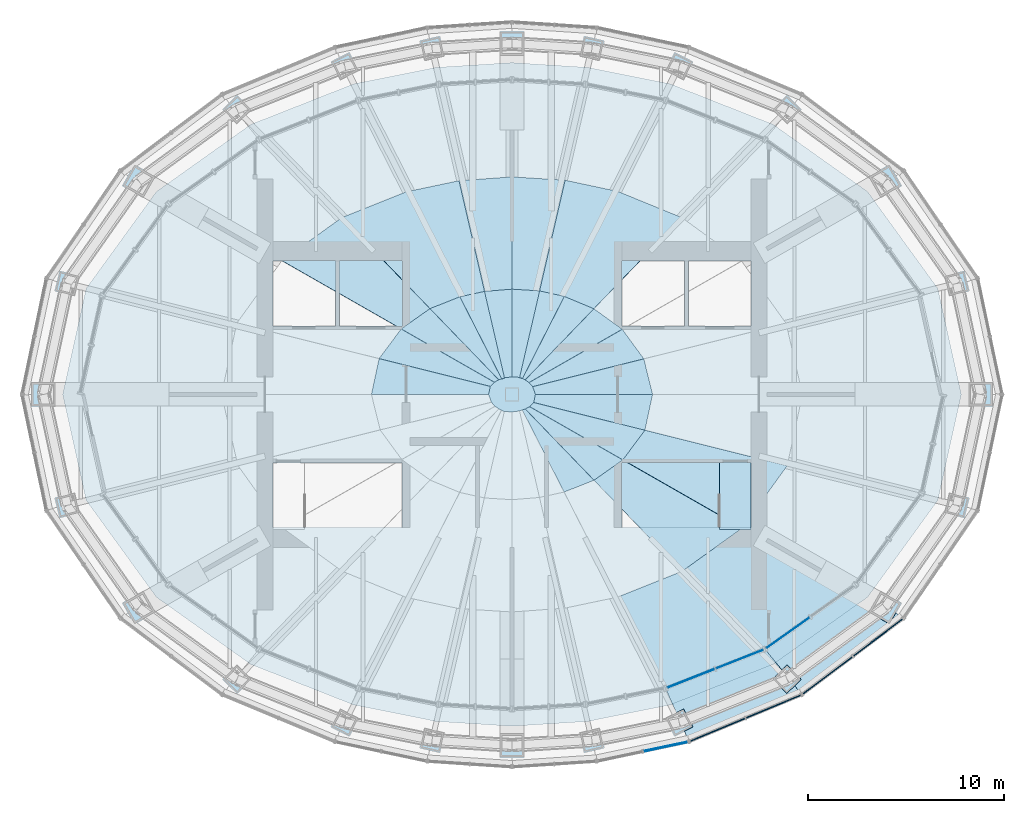
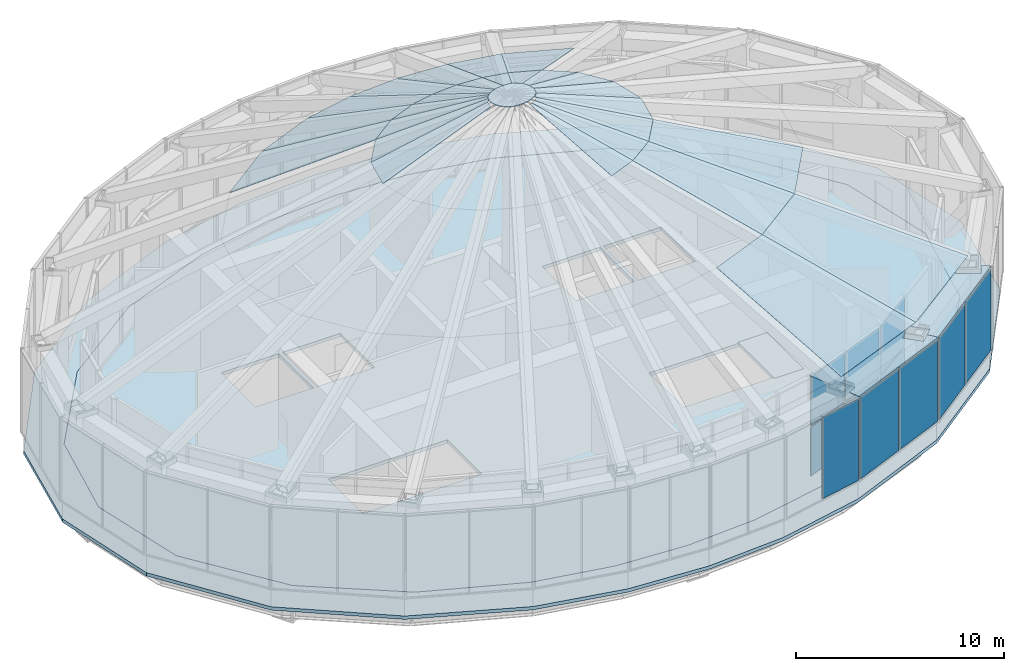
# One storey, part 16 of 21: 41 plates, 3 slabs, 5 elements without a shape of their own.
"""IFC4 building model written with IfcOpenShell, lengths in metres."""

from ifc_helpers import new_model, si_unit, direction, frame, origin, origin_2d, place, context, subcontext, project, spatial, polyline, rectangle, outline, extrude, material, layer, layer_set, type_object, element, aggregate, save


model = new_model("IFC4")

# Units and contexts
model_context = context("Model", 3, precision=1e-05, world=origin(), true_north=direction((0.0, 1.0)))
body_context = subcontext(model_context, "Body", "Model", "MODEL_VIEW")
ifc_project = project(units=[si_unit("LENGTHUNIT", "METRE"), si_unit("AREAUNIT", "SQUARE_METRE"), si_unit("VOLUMEUNIT", "CUBIC_METRE"), si_unit("PLANEANGLEUNIT", "RADIAN"), si_unit("MASSUNIT", "GRAM", prefix="KILO")], contexts=[model_context])

# Site, building, storey
site_placement = place(None, origin())
site = spatial("IfcSite", under=ifc_project, at=site_placement, CompositionType="ELEMENT")
building_placement = place(site_placement, origin())
building = spatial("IfcBuilding", under=site, at=building_placement, Name="Lantaw Convention Tower", CompositionType="ELEMENT")
storey_placement = place(building_placement, frame((0.0, 0.0, 290.39990234375)))
storey = spatial("IfcBuildingStorey", under=building, at=storey_placement, Name="L67", CompositionType="ELEMENT", Elevation=290.39990234375)

# Curtain wall, plates
ifc_material_1 = material(Name="Aluminium framed curtain wall", Category="aluminium")
curtain_wall_type_1 = type_object("IfcCurtainWallType", Name="LANTERN glazing curtain wall, pale aluminium", PredefinedType="USERDEFINED", material=ifc_material_1)
curtain_wall_1_placement = place(storey_placement, origin())
curtain_wall_1 = element("IfcCurtainWall", 1, at=curtain_wall_1_placement, inside=storey, type_object=curtain_wall_type_1, Name="LANTERN glazing curtain wall, pale aluminium L67", ObjectType="LANTERN GLAZING", PredefinedType="USERDEFINED")
ifc_material_2 = material(Name="Low-iron laminated glass", Category="glass")
ifc_layer_1 = layer(ifc_material_2, 0.035888671875)
ifc_layer_set_1 = layer_set([ifc_layer_1], Name="CW-LN panel 36")
plate_type_1 = type_object("IfcPlateType", Name="CW-LN panel 36", PredefinedType="CURTAIN_PANEL", material=ifc_layer_set_1)
plate_1_placement = place(storey_placement, frame((9.127197265625, -14.4853515625, 0.10009765625), z_axis=(0.0, 0.0, 1.0), x_axis=(0.930299050885, 0.366801957358, 0.0)))
plate_1 = element("IfcPlate", 2, at=plate_1_placement, type_object=plate_type_1, Name="CW-LN panel 1.1", PredefinedType="CURTAIN_PANEL", context=body_context, shape_type="SweptSolid", body=[
    extrude(rectangle(XDim=2.574462890625, YDim=0.035888671875, at=origin_2d()), origin(), (0.0, 0.0, 1.0), 2.85009765625),
])
plate_2_placement = place(storey_placement, frame((9.127197265625, -14.4853515625, 3.050048828125), z_axis=(0.0, 0.0, 1.0), x_axis=(0.930299050885, 0.366801957358, 0.0)))
plate_2 = element("IfcPlate", 3, at=plate_2_placement, type_object=plate_type_1, Name="CW-LN panel 1.2", PredefinedType="CURTAIN_PANEL", context=body_context, shape_type="SweptSolid", body=[
    extrude(rectangle(XDim=2.574462890625, YDim=0.035888671875, at=origin_2d()), origin(), (0.0, 0.0, 1.0), 2.85009765625),
])
plate_3_placement = place(storey_placement, frame((11.615234375, -13.50439453125, 0.10009765625), z_axis=(0.0, 0.0, 1.0), x_axis=(0.930299050885, 0.366801957358, 0.0)))
plate_3 = element("IfcPlate", 4, at=plate_3_placement, type_object=plate_type_1, Name="CW-LN panel 2.1", PredefinedType="CURTAIN_PANEL", context=body_context, shape_type="SweptSolid", body=[
    extrude(rectangle(XDim=2.574462890625, YDim=0.035888671875, at=origin_2d()), origin(), (0.0, 0.0, 1.0), 2.85009765625),
])
plate_4_placement = place(storey_placement, frame((11.615234375, -13.50439453125, 3.050048828125), z_axis=(0.0, 0.0, 1.0), x_axis=(0.930299050885, 0.366801957358, 0.0)))
plate_4 = element("IfcPlate", 5, at=plate_4_placement, type_object=plate_type_1, Name="CW-LN panel 2.2", PredefinedType="CURTAIN_PANEL", context=body_context, shape_type="SweptSolid", body=[
    extrude(rectangle(XDim=2.574462890625, YDim=0.035888671875, at=origin_2d()), origin(), (0.0, 0.0, 1.0), 2.85009765625),
])
aggregate(curtain_wall_1, [plate_1, plate_2, plate_3, plate_4])

curtain_wall_2_placement = place(storey_placement, origin())
curtain_wall_2 = element("IfcCurtainWall", 6, at=curtain_wall_2_placement, inside=storey, type_object=curtain_wall_type_1, Name="LANTERN glazing curtain wall, pale aluminium L67", ObjectType="LANTERN GLAZING", PredefinedType="USERDEFINED")
plate_5_placement = place(storey_placement, frame((14.079345703125, -12.16064453125, 0.10009765625), z_axis=(0.0, 0.0, 1.0), x_axis=(0.814841441337, 0.579683901346, 0.0)))
plate_5 = element("IfcPlate", 7, at=plate_5_placement, type_object=plate_type_1, Name="CW-LN panel 1.1", PredefinedType="CURTAIN_PANEL", context=body_context, shape_type="SweptSolid", body=[
    extrude(rectangle(XDim=2.680419921875, YDim=0.035888671875, at=origin_2d()), origin(), (0.0, 0.0, 1.0), 2.85009765625),
])
plate_6_placement = place(storey_placement, frame((14.079345703125, -12.16064453125, 3.050048828125), z_axis=(0.0, 0.0, 1.0), x_axis=(0.814841441337, 0.579683901346, 0.0)))
plate_6 = element("IfcPlate", 8, at=plate_6_placement, type_object=plate_type_1, Name="CW-LN panel 1.2", PredefinedType="CURTAIN_PANEL", context=body_context, shape_type="SweptSolid", body=[
    extrude(rectangle(XDim=2.680419921875, YDim=0.035888671875, at=origin_2d()), origin(), (0.0, 0.0, 1.0), 2.85009765625),
])
aggregate(curtain_wall_2, [plate_5, plate_6])

# Curtain wall, plate
curtain_wall_type_2 = type_object("IfcCurtainWallType", Name="Plant floor louvre wall, pale aluminium", PredefinedType="USERDEFINED", material=ifc_material_1)
curtain_wall_3_placement = place(storey_placement, origin())
curtain_wall_3 = element("IfcCurtainWall", 9, at=curtain_wall_3_placement, inside=storey, type_object=curtain_wall_type_2, Name="Plant floor louvre wall, pale aluminium L67", ObjectType="LOUVRE WALL", PredefinedType="USERDEFINED")
ifc_material_3 = material(Name="Aluminium louvre blades", Category="aluminium")
ifc_layer_2 = layer(ifc_material_3, 0.050048828125)
ifc_layer_set_2 = layer_set([ifc_layer_2], Name="CW-LV panel 50")
plate_type_2 = type_object("IfcPlateType", Name="CW-LV panel 50", PredefinedType="CURTAIN_PANEL", material=ifc_layer_set_2)
plate_7_placement = place(storey_placement, frame((7.833740234375, -17.970703125, 1.169921875), z_axis=(0.0, 0.0, 1.0), x_axis=(0.978332497083, 0.207039911975, 0.0)))
plate_7 = element("IfcPlate", 10, at=plate_7_placement, type_object=plate_type_2, Name="CW-LV panel 2.1", PredefinedType="CURTAIN_PANEL", context=body_context, shape_type="SweptSolid", body=[
    extrude(rectangle(XDim=2.30078125, YDim=0.050048828125, at=origin_2d()), origin(), (0.0, 0.0, 1.0), 4.760009765625),
])
aggregate(curtain_wall_3, [plate_7])

# Curtain wall, plates
curtain_wall_4_placement = place(storey_placement, origin())
curtain_wall_4 = element("IfcCurtainWall", 11, at=curtain_wall_4_placement, inside=storey, type_object=curtain_wall_type_2, Name="Plant floor louvre wall, pale aluminium L67", ObjectType="LOUVRE WALL", PredefinedType="USERDEFINED")
plate_8_placement = place(storey_placement, frame((10.48486328125, -17.111083984375, 1.169921875), z_axis=(0.0, 0.0, 1.0), x_axis=(0.923141777124, 0.384459697924, 0.0)))
plate_8 = element("IfcPlate", 12, at=plate_8_placement, type_object=plate_type_2, Name="CW-LV panel 1.1", PredefinedType="CURTAIN_PANEL", context=body_context, shape_type="SweptSolid", body=[
    extrude(rectangle(XDim=3.01708984375, YDim=0.050048828125, at=origin_2d()), origin(), (0.0, 0.0, 1.0), 4.760009765625),
])
plate_9_placement = place(storey_placement, frame((13.334716796875, -15.92431640625, 1.169921875), z_axis=(0.0, 0.0, 1.0), x_axis=(0.923141777124, 0.384459697924, 0.0)))
plate_9 = element("IfcPlate", 13, at=plate_9_placement, type_object=plate_type_2, Name="CW-LV panel 2.1", PredefinedType="CURTAIN_PANEL", context=body_context, shape_type="SweptSolid", body=[
    extrude(rectangle(XDim=3.01708984375, YDim=0.050048828125, at=origin_2d()), origin(), (0.0, 0.0, 1.0), 4.760009765625),
])
aggregate(curtain_wall_4, [plate_8, plate_9])

curtain_wall_5_placement = place(storey_placement, origin())
curtain_wall_5 = element("IfcCurtainWall", 14, at=curtain_wall_5_placement, inside=storey, type_object=curtain_wall_type_2, Name="Plant floor louvre wall, pale aluminium L67", ObjectType="LOUVRE WALL", PredefinedType="USERDEFINED")
plate_10_placement = place(storey_placement, frame((16.103271484375, -14.33203125, 1.169921875), z_axis=(0.0, 0.0, 1.0), x_axis=(0.799517528732, 0.600642756762, 0.0)))
plate_10 = element("IfcPlate", 15, at=plate_10_placement, type_object=plate_type_2, Name="CW-LV panel 1.1", PredefinedType="CURTAIN_PANEL", context=body_context, shape_type="SweptSolid", body=[
    extrude(rectangle(XDim=3.140869140625, YDim=0.050048828125, at=origin_2d()), origin(), (0.0, 0.0, 1.0), 4.760009765625),
])
plate_11_placement = place(storey_placement, frame((18.67041015625, -12.403564453125, 1.169921875), z_axis=(0.0, 0.0, 1.0), x_axis=(0.799517528732, 0.600642756762, 0.0)))
plate_11 = element("IfcPlate", 16, at=plate_11_placement, type_object=plate_type_2, Name="CW-LV panel 2.1", PredefinedType="CURTAIN_PANEL", context=body_context, shape_type="SweptSolid", body=[
    extrude(rectangle(XDim=3.140869140625, YDim=0.050048828125, at=origin_2d()), origin(), (0.0, 0.0, 1.0), 4.760009765625),
])
aggregate(curtain_wall_5, [plate_10, plate_11])

# Slab
ifc_material_4 = material(Name="Concrete C35/45", Category="concrete")
ifc_layer_3 = layer(ifc_material_4, 0.199951171875)
ifc_layer_set_3 = layer_set([ifc_layer_3], Name="Floor slab 200")
slab_type_1 = type_object("IfcSlabType", Name="Floor slab 200", PredefinedType="FLOOR", material=ifc_layer_set_3)
slab_1_placement = place(storey_placement, frame((0.0, 0.0, -0.199951171875)))
element("IfcSlab", 17, at=slab_1_placement, inside=storey, type_object=slab_type_1, Name="L67 floor slab", PredefinedType="FLOOR", context=body_context, shape_type="SweptSolid", body=[
    extrude(outline(polyline([(21.7236328125, -5.40234375), (22.923095703125, 0.0), (21.7236328125, 5.40234375), (18.142578125, 10.34375), (13.326171875, 13.7705078125), (8.0849609375, 15.8369140625), (3.859130859375, 16.683349609375), (0.0, 16.9248046875), (-3.859130859375, 16.683349609375), (-8.0849609375, 15.8369140625), (-13.326171875, 13.7705078125), (-18.142578125, 10.34375), (-21.7236328125, 5.40234375), (-22.923095703125, 0.0), (-21.7236328125, -5.40234375), (-18.142578125, -10.34375), (-13.326171875, -13.7705078125), (-8.0849609375, -15.8369140625), (-3.859130859375, -16.683349609375), (0.0, -16.9248046875), (3.859130859375, -16.683349609375), (8.0849609375, -15.8369140625), (13.326171875, -13.7705078125), (18.142578125, -10.34375), (21.7236328125, -5.40234375)]), holes=[polyline([(-12.199951171875, -3.5), (-12.199951171875, -6.800048828125), (-5.60009765625, -6.800048828125), (-5.60009765625, -3.5), (-12.199951171875, -3.5)]), polyline([(12.199951171875, -3.5), (5.60009765625, -3.5), (5.60009765625, -6.800048828125), (12.199951171875, -6.800048828125), (12.199951171875, -3.5)]), polyline([(-9.0, 6.800048828125), (-12.199951171875, 6.800048828125), (-12.199951171875, 3.5), (-9.0, 3.5), (-9.0, 6.800048828125)]), polyline([(-8.800048828125, 6.800048828125), (-8.800048828125, 3.5), (-5.60009765625, 3.5), (-5.60009765625, 6.800048828125), (-8.800048828125, 6.800048828125)]), polyline([(8.800048828125, 6.800048828125), (5.60009765625, 6.800048828125), (5.60009765625, 3.5), (8.800048828125, 3.5), (8.800048828125, 6.800048828125)]), polyline([(12.199951171875, 6.800048828125), (9.0, 6.800048828125), (9.0, 3.5), (12.199951171875, 3.5), (12.199951171875, 6.800048828125)])]), origin(), (0.0, 0.0, 1.0), 0.199951171875),
])

# Plates
ifc_material_5 = material(Name="Aluminium composite panel, pale silver", Category="aluminium")
ifc_layer_4 = layer(ifc_material_5, 0.050048828125)
ifc_layer_set_4 = layer_set([ifc_layer_4], Name="LANTERN eaves panel 50")
plate_type_3 = type_object("IfcPlateType", Name="LANTERN eaves panel 50", PredefinedType="SHEET", material=ifc_layer_set_4)
plate_12_placement = place(storey_placement, frame((0.0, 0.0, 6.0)))
element("IfcPlate", 18, at=plate_12_placement, inside=storey, type_object=plate_type_3, Name="LANTERN eaves panel", PredefinedType="SHEET", context=body_context, shape_type="SweptSolid", body=[
    extrude(outline(polyline([(7.83642578125, -14.994384765625), (8.37744140625, -16.231201171875), (8.755615234375, -16.038330078125), (9.227783203125, -16.965087890625), (8.794921875, -17.185546875), (9.02783203125, -17.718017578125), (14.791748046875, -15.3173828125), (14.4248046875, -14.865478515625), (14.014892578125, -15.261474609375), (13.29248046875, -14.51318359375), (13.7666015625, -14.055419921875), (12.90576171875, -12.99560546875), (7.83642578125, -14.994384765625)])), origin(), (0.0, 0.0, 1.0), 0.050048828125),
])
plate_13_placement = place(storey_placement, frame((0.0, 0.0, 6.0)))
element("IfcPlate", 19, at=plate_13_placement, inside=storey, type_object=plate_type_3, Name="LANTERN eaves panel", PredefinedType="SHEET", context=body_context, shape_type="SweptSolid", body=[
    extrude(outline(polyline([(12.90576171875, -12.99560546875), (13.7666015625, -14.055419921875), (14.04052734375, -13.790771484375), (14.762939453125, -14.5390625), (14.4248046875, -14.865478515625), (14.791748046875, -15.3173828125), (19.98193359375, -11.418212890625), (19.585693359375, -11.144287109375), (19.257568359375, -11.718505859375), (18.180908203125, -11.103271484375), (18.562255859375, -10.43603515625), (17.518310546875, -9.714111328125), (12.90576171875, -12.99560546875)])), origin(), (0.0, 0.0, 1.0), 0.050048828125),
])
plate_14_placement = place(storey_placement, frame((0.0, 0.0, 16.099365234375)))
element("IfcPlate", 20, at=plate_14_placement, inside=storey, type_object=plate_type_3, Name="LANTERN crown cap", PredefinedType="SHEET", context=body_context, shape_type="SweptSolid", body=[
    extrude(outline(polyline([(1.195068359375, 0.0), (1.0517578125, 0.400390625), (0.86474609375, 0.60693359375), (0.66748046875, 0.739990234375), (0.53466796875, 0.81494140625), (0.389892578125, 0.870361328125), (0.0, 0.89501953125), (-0.384033203125, 0.845458984375), (-0.525390625, 0.797119140625), (-0.673828125, 0.74658203125), (-0.894775390625, 0.6240234375), (-1.106201171875, 0.413818359375), (-1.195068359375, 0.0), (-1.0517578125, -0.400390625), (-0.86474609375, -0.60693359375), (-0.66748046875, -0.739990234375), (-0.53466796875, -0.81494140625), (-0.389892578125, -0.870361328125), (0.0, -0.89501953125), (0.384033203125, -0.845458984375), (0.525390625, -0.797119140625), (0.673828125, -0.74658203125), (0.894775390625, -0.6240234375), (1.106201171875, -0.413818359375), (1.195068359375, 0.0)])), origin(), (0.0, 0.0, 1.0), 0.050048828125),
])
ifc_layer_5 = layer(ifc_material_2, 0.035888671875)
ifc_layer_set_5 = layer_set([ifc_layer_5], Name="LANTERN roof glass 36")
plate_type_4 = type_object("IfcPlateType", Name="LANTERN roof glass 36", PredefinedType="SHEET", material=ifc_layer_set_5)
plate_15_placement = place(storey_placement, frame((7.169921875, 0.0, 13.44677734375), z_axis=(0.37334512239, 0.080029098565, 0.924234149429), x_axis=(-0.238831332491, 0.970981903024, 0.012399137864)))
element("IfcPlate", 21, at=plate_15_placement, inside=storey, type_object=plate_type_4, Name="LANTERN roof glass", PredefinedType="SHEET", context=body_context, shape_type="SweptSolid", body=[
    extrude(outline(polyline([(0.0, 0.0), (1.8686765373944467, -6.938893903907228e-18), (1.8801951436057627, 6.32415580137119), (1.4569084660595533, 6.27707198966804), (0.0, 0.0)])), origin(), (0.0, 0.0, -1.0), 0.035888671875),
])
plate_16_placement = place(storey_placement, frame((6.7236328125, 1.814453125, 13.469970703125), z_axis=(0.331165641388, 0.23249808717, 0.914480156934), x_axis=(-0.589390552982, 0.807808014483, 0.008061500605)))
element("IfcPlate", 22, at=plate_16_placement, inside=storey, type_object=plate_type_4, Name="LANTERN roof glass", PredefinedType="SHEET", context=body_context, shape_type="SweptSolid", body=[
    extrude(outline(polyline([(0.0, 0.0), (1.8698527721696487, -8.847089727481716e-17), (2.497307582727411, 5.953717213361722), (2.2201155522404266, 5.92166920799492), (0.0, 0.0)])), origin(), (0.0, 0.0, -1.0), 0.035888671875),
])
plate_17_placement = place(storey_placement, frame((5.62158203125, 3.324951171875, 13.485107421875), z_axis=(0.256496656934, 0.350856644681, 0.900615944709), x_axis=(-0.810302697178, 0.586006293827, 0.002482446519)))
element("IfcPlate", 23, at=plate_17_placement, inside=storey, type_object=plate_type_4, Name="LANTERN roof glass", PredefinedType="SHEET", context=body_context, shape_type="SweptSolid", body=[
    extrude(outline(polyline([(0.0, 0.0), (1.7860664195670508, 1.1752751549742868e-16), (2.505520957623048, 5.5492416551141535), (2.267693151594455, 5.5405790283157), (0.0, 0.0)])), origin(), (0.0, 0.0, -1.0), 0.035888671875),
])
plate_18_placement = place(storey_placement, frame((8.663330078125, 9.019775390625, 10.400146484375), z_axis=(0.171065729397, 0.425442871882, 0.888670286997), x_axis=(-0.925644509883, 0.378382683364, -0.002964161482)))
element("IfcPlate", 24, at=plate_18_placement, inside=storey, type_object=plate_type_4, Name="LANTERN roof glass", PredefinedType="SHEET", context=body_context, shape_type="SweptSolid", body=[
    extrude(outline(polyline([(0.0, 0.0), (3.5300501073987642, -1.5872719805187785e-16), (4.02028574646231, 6.74104206164491), (2.387277635563866, 6.752922919295874), (0.0, 0.0)])), origin(), (0.0, 0.0, -1.0), 0.035888671875),
])
plate_19_placement = place(storey_placement, frame((4.17431640625, 4.37158203125, 13.489501953125), z_axis=(0.171106958068, 0.425405418594, 0.888680279252), x_axis=(-0.923155495553, 0.384375891838, -0.00625338339)))
element("IfcPlate", 25, at=plate_19_placement, inside=storey, type_object=plate_type_4, Name="LANTERN roof glass", PredefinedType="SHEET", context=body_context, shape_type="SweptSolid", body=[
    extrude(outline(polyline([(0.0, 0.0), (1.6330513293599542, -1.214306433183765e-17), (1.9778456614560345, 5.268852659539004), (1.8263655270621086, 5.289242548837372), (0.0, 0.0)])), origin(), (0.0, 0.0, -1.0), 0.035888671875),
])
plate_20_placement = place(storey_placement, frame((5.395751953125, 10.35546875, 10.3896484375), z_axis=(0.093688580334, 0.461210780147, 0.882330474477), x_axis=(-0.978101920047, 0.208068712649, -0.00490355156)))
element("IfcPlate", 26, at=plate_20_placement, inside=storey, type_object=plate_type_4, Name="LANTERN roof glass", PredefinedType="SHEET", context=body_context, shape_type="SweptSolid", body=[
    extrude(outline(polyline([(0.0, 0.0), (2.744427008089181, 7.37257477290143e-17), (2.8293092337927765, 6.565596695783525), (1.5396360670144347, 6.581147304246267), (0.0, 0.0)])), origin(), (0.0, 0.0, -1.0), 0.035888671875),
])
plate_21_placement = place(storey_placement, frame((2.666748046875, 4.999267578125, 13.479248046875), z_axis=(0.093620154862, 0.461223554568, 0.882331059929), x_axis=(-0.975796598011, 0.218421197176, -0.010638605804)))
element("IfcPlate", 27, at=plate_21_placement, inside=storey, type_object=plate_type_4, Name="LANTERN roof glass", PredefinedType="SHEET", context=body_context, shape_type="SweptSolid", body=[
    extrude(outline(polyline([(0.0, 0.0), (1.2897669155798912, 2.6020852139652106e-18), (1.2943755594123756, 5.1299182076908885), (1.1408538903926455, 5.155399487840457), (0.0, 0.0)])), origin(), (0.0, 0.0, -1.0), 0.035888671875),
])
plate_22_placement = place(storey_placement, frame((2.71142578125, 10.926513671875, 10.376220703125), z_axis=(0.030004045267, 0.474496963287, 0.879745638863), x_axis=(-0.998007927444, 0.063088641257, 1.0123764e-05)))
element("IfcPlate", 28, at=plate_22_placement, inside=storey, type_object=plate_type_4, Name="LANTERN roof glass", PredefinedType="SHEET", context=body_context, shape_type="SweptSolid", body=[
    extrude(outline(polyline([(0.0, 0.0), (2.7168369795800427, -2.7755575615628914e-17), (2.355510195788531, 6.497773510105893), (0.9444904009745485, 6.497861405612378), (0.0, 0.0)])), origin(), (0.0, 0.0, -1.0), 0.035888671875),
])
plate_23_placement = place(storey_placement, frame((1.408203125, 5.281005859375, 13.465576171875), z_axis=(0.030021551733, 0.474482250035, 0.879752977167), x_axis=(-0.998003916201, 0.063152064389, -3.304797e-06)))
element("IfcPlate", 29, at=plate_23_placement, inside=storey, type_object=plate_type_4, Name="LANTERN roof glass", PredefinedType="SHEET", context=body_context, shape_type="SweptSolid", body=[
    extrude(outline(polyline([(0.0, 0.0), (1.4110197978879926, 0.0), (1.1284001661816823, 5.076609664543357), (0.73772862988377, 5.076597140699544), (0.0, 0.0)])), origin(), (0.0, 0.0, -1.0), 0.035888671875),
])
plate_24_placement = place(storey_placement, frame((0.0, 11.097900390625, 10.376220703125), z_axis=(-0.030037923246, 0.47450758169, 0.87973875559), x_axis=(-0.997367404061, -0.07234362778, 0.004965967805)))
element("IfcPlate", 30, at=plate_24_placement, inside=storey, type_object=plate_type_4, Name="LANTERN roof glass", PredefinedType="SHEET", context=body_context, shape_type="SweptSolid", body=[
    extrude(outline(polyline([(0.0, 0.0), (2.712954185588994, 6.158268339717665e-17), (1.8366782581150976, 6.50757638404278), (0.4297102558453864, 6.493609683968924), (0.0, 0.0)])), origin(), (0.0, 0.0, -1.0), 0.035888671875),
])
plate_25_placement = place(storey_placement, frame((0.0, 5.3701171875, 13.465576171875), z_axis=(-0.029981364327, 0.474486387722, 0.87975211603), x_axis=(-0.99666476706, -0.081022289111, 0.009732973228)))
element("IfcPlate", 31, at=plate_25_placement, inside=storey, type_object=plate_type_4, Name="LANTERN roof glass", PredefinedType="SHEET", context=body_context, shape_type="SweptSolid", body=[
    extrude(outline(polyline([(0.0, 0.0), (1.4070373236108282, -1.9949319973733282e-17), (0.7729748492451886, 5.090584135270511), (0.38607390935843794, 5.069791561615826), (0.0, 0.0)])), origin(), (0.0, 0.0, -1.0), 0.035888671875),
])
plate_26_placement = place(storey_placement, frame((-2.705810546875, 10.901611328125, 10.3896484375), z_axis=(-0.093614094914, 0.461233710561, 0.882326393958), x_axis=(-0.978570845032, -0.205875440874, 0.003795273001)))
element("IfcPlate", 32, at=plate_26_placement, inside=storey, type_object=plate_type_4, Name="LANTERN roof glass", PredefinedType="SHEET", context=body_context, shape_type="SweptSolid", body=[
    extrude(outline(polyline([(0.0, 0.0), (2.7396049595851513, -1.0321604682062002e-16), (1.1835165260238036, 6.577161948757344), (-0.10153732104818512, 6.565523593535028), (0.0, 0.0)])), origin(), (0.0, 0.0, -1.0), 0.035888671875),
])
plate_27_placement = place(storey_placement, frame((-1.40234375, 5.256103515625, 13.479248046875), z_axis=(-0.093697922516, 0.461195877242, 0.882337272323), x_axis=(-0.976861349096, -0.213724729054, 0.007977771231)))
element("IfcPlate", 33, at=plate_27_placement, inside=storey, type_object=plate_type_4, Name="LANTERN roof glass", PredefinedType="SHEET", context=body_context, shape_type="SweptSolid", body=[
    extrude(outline(polyline([(0.0, 0.0), (1.2851065536199469, -6.158268339717665e-17), (0.11567036090693304, 5.149092307105212), (-0.03282946425683342, 5.129815229285583), (0.0, 0.0)])), origin(), (0.0, 0.0, -1.0), 0.035888671875),
])
plate_28_placement = place(storey_placement, frame((-5.38671875, 10.337646484375, 10.400146484375), z_axis=(-0.171110868606, 0.425388843547, 0.888687460489), x_axis=(-0.928659622148, -0.37093090349, -0.001253406359)))
element("IfcPlate", 34, at=plate_28_placement, inside=storey, type_object=plate_type_4, Name="LANTERN roof glass", PredefinedType="SHEET", context=body_context, shape_type="SweptSolid", body=[
    extrude(outline(polyline([(0.0, 0.0), (3.535150972408987, -1.470178145890344e-16), (1.0867621359723143, 6.731175547696888), (-0.5514074142480766, 6.736202222918226), (0.0, 0.0)])), origin(), (0.0, 0.0, -1.0), 0.035888671875),
])
plate_29_placement = place(storey_placement, frame((-2.65771484375, 4.9814453125, 13.489501953125), z_axis=(-0.171138625355, 0.425391007955, 0.888681079613), x_axis=(-0.929660822986, -0.368406783412, -0.002682562297)))
element("IfcPlate", 35, at=plate_29_placement, inside=storey, type_object=plate_type_4, Name="LANTERN roof glass", PredefinedType="SHEET", context=body_context, shape_type="SweptSolid", body=[
    extrude(outline(polyline([(0.0, 0.0), (1.63817726281843, -3.2959746043559335e-17), (-0.2906521746249063, 5.252574759464217), (-0.4472787055485599, 5.261242662668524), (0.0, 0.0)])), origin(), (0.0, 0.0, -1.0), 0.035888671875),
])
plate_30_placement = place(storey_placement, frame((-8.669677734375, 9.0263671875, 10.395751953125), z_axis=(-0.256445447647, 0.350924637423, 0.900604036872), x_axis=(-0.812285763507, -0.583245726344, -0.004032506013)))
element("IfcPlate", 36, at=plate_30_placement, inside=storey, type_object=plate_type_4, Name="LANTERN roof glass", PredefinedType="SHEET", context=body_context, shape_type="SweptSolid", body=[
    extrude(outline(polyline([(0.0, 0.0), (3.7801914673152828, 1.691355389077387e-16), (0.8512873722030917, 7.081217699187976), (-0.9476384363066335, 7.099669958582844), (0.0, 0.0)])), origin(), (0.0, 0.0, -1.0), 0.035888671875),
])
plate_31_placement = place(storey_placement, frame((-4.1806640625, 4.3779296875, 13.485107421875), z_axis=(-0.256385815878, 0.350986442814, 0.900596930029), x_axis=(-0.817637774292, -0.57567149542, -0.008414238595)))
element("IfcPlate", 37, at=plate_31_placement, inside=storey, type_object=plate_type_4, Name="LANTERN roof glass", PredefinedType="SHEET", context=body_context, shape_type="SweptSolid", body=[
    extrude(outline(polyline([(0.0, 0.0), (1.7990204483584011, -6.852157730108388e-17), (-0.545830901020601, 5.508488682628186), (-0.7971665844259519, 5.538451953315353), (0.0, 0.0)])), origin(), (0.0, 0.0, -1.0), 0.035888671875),
])
plate_32_placement = place(storey_placement, frame((-5.651611328125, 3.34228515625, 13.469970703125), z_axis=(-0.331209805156, 0.23237656416, 0.914495050505), x_axis=(-0.596840267869, -0.802265738871, -0.012303612668)))
element("IfcPlate", 38, at=plate_32_placement, inside=storey, type_object=plate_type_4, Name="LANTERN roof glass", PredefinedType="SHEET", context=body_context, shape_type="SweptSolid", body=[
    extrude(outline(polyline([(0.0, 0.0), (1.887363757721109, -4.336808689942018e-17), (-0.39288555690005467, 5.898833177924738), (-0.6879986712422074, 5.947136558441983), (0.0, 0.0)])), origin(), (0.0, 0.0, -1.0), 0.035888671875),
])
plate_33_placement = place(storey_placement, frame((-6.778076171875, 1.828125, 13.44677734375), z_axis=(-0.373340739962, 0.080050954697, 0.924234026931), x_axis=(-0.209592816117, -0.977788755709, 2.5303469e-05)))
element("IfcPlate", 39, at=plate_33_placement, inside=storey, type_object=plate_type_4, Name="LANTERN roof glass", PredefinedType="SHEET", context=body_context, shape_type="SweptSolid", body=[
    extrude(outline(polyline([(0.0, 0.0), (1.8696481134326954, -5.551115123125783e-17), (0.6174228110038016, 6.321087472257275), (0.1941699482122623, 6.321239421770607), (0.0, 0.0)])), origin(), (0.0, 0.0, -1.0), 0.035888671875),
])
plate_34_placement = place(storey_placement, frame((8.62744140625, -16.697998046875, 6.7314453125), z_axis=(0.171101311281, -0.425413310467, 0.888677588643), x_axis=(0.928321487637, 0.371777667128, -0.000762768976)))
element("IfcPlate", 40, at=plate_34_placement, inside=storey, type_object=plate_type_4, Name="LANTERN roof glass", PredefinedType="SHEET", context=body_context, shape_type="SweptSolid", body=[
    extrude(outline(polyline([(0.0, 0.0), (5.7873859783149, 1.5439038936193583e-16), (2.8885548955016627, 7.996192701663095), (-0.6465941826817319, 7.99985247265633), (0.0, 0.0)])), origin(), (0.0, 0.0, -1.0), 0.035888671875),
])
plate_35_placement = place(storey_placement, frame((2.65771484375, -4.9814453125, 13.489501953125), z_axis=(0.171138625355, -0.425391007955, 0.888681079613), x_axis=(0.929660822986, 0.368406783412, -0.002682562297)))
element("IfcPlate", 41, at=plate_35_placement, inside=storey, type_object=plate_type_4, Name="LANTERN roof glass", PredefinedType="SHEET", context=body_context, shape_type="SweptSolid", body=[
    extrude(outline(polyline([(0.0, 0.0), (1.63817726281843, -3.2959746043559335e-17), (-0.2906521746249063, 5.252574759464217), (-0.4472787055485599, 5.261242662668524), (0.0, 0.0)])), origin(), (0.0, 0.0, -1.0), 0.035888671875),
])
plate_36_placement = place(storey_placement, frame((14.0, -14.54638671875, 6.72705078125), z_axis=(0.256475614814, -0.350897030229, 0.900606203167), x_axis=(0.810387981103, 0.585888242156, -0.00250754599)))
element("IfcPlate", 42, at=plate_36_placement, inside=storey, type_object=plate_type_4, Name="LANTERN roof glass", PredefinedType="SHEET", context=body_context, shape_type="SweptSolid", body=[
    extrude(outline(polyline([(0.0, 0.0), (6.1334316208424875, 3.235259282696745e-16), (2.685453075876651, 8.421104060679056), (-1.0947139965458723, 8.434685568240315), (0.0, 0.0)])), origin(), (0.0, 0.0, -1.0), 0.035888671875),
])
plate_37_placement = place(storey_placement, frame((8.669677734375, -9.0263671875, 10.395751953125), z_axis=(0.256445447647, -0.350924637423, 0.900604036872), x_axis=(0.812285763507, 0.583245726344, -0.004032506013)))
element("IfcPlate", 43, at=plate_37_placement, inside=storey, type_object=plate_type_4, Name="LANTERN roof glass", PredefinedType="SHEET", context=body_context, shape_type="SweptSolid", body=[
    extrude(outline(polyline([(0.0, 0.0), (3.7801914673152828, 1.691355389077387e-16), (0.8512873722030917, 7.081217699187976), (-0.9476384363066335, 7.099669958582844), (0.0, 0.0)])), origin(), (0.0, 0.0, -1.0), 0.035888671875),
])
plate_38_placement = place(storey_placement, frame((4.1806640625, -4.3779296875, 13.485107421875), z_axis=(0.256385815878, -0.350986442814, 0.900596930029), x_axis=(0.817637774292, 0.57567149542, -0.008414238595)))
element("IfcPlate", 44, at=plate_38_placement, inside=storey, type_object=plate_type_4, Name="LANTERN roof glass", PredefinedType="SHEET", context=body_context, shape_type="SweptSolid", body=[
    extrude(outline(polyline([(0.0, 0.0), (1.7990204483584011, -6.852157730108388e-17), (-0.545830901020601, 5.508488682628186), (-0.7971665844259519, 5.538451953315353), (0.0, 0.0)])), origin(), (0.0, 0.0, -1.0), 0.035888671875),
])
plate_39_placement = place(storey_placement, frame((11.740234375, -6.821533203125, 10.38037109375), z_axis=(0.33123451583, -0.232410652844, 0.914477437648), x_axis=(0.585233441157, 0.810843350335, -0.005905977449)))
element("IfcPlate", 45, at=plate_39_placement, inside=storey, type_object=plate_type_4, Name="LANTERN roof glass", PredefinedType="SHEET", context=body_context, shape_type="SweptSolid", body=[
    extrude(outline(polyline([(0.0, 0.0), (3.9259715399413055, 3.0010716134398763e-16), (1.1267407900695354, 7.59542243709389), (-0.7603877802750655, 7.625216964023146), (0.0, 0.0)])), origin(), (0.0, 0.0, -1.0), 0.035888671875),
])
plate_40_placement = place(storey_placement, frame((5.651611328125, -3.34228515625, 13.469970703125), z_axis=(0.331209805156, -0.23237656416, 0.914495050505), x_axis=(0.596840267869, 0.802265738871, -0.012303612668)))
element("IfcPlate", 46, at=plate_40_placement, inside=storey, type_object=plate_type_4, Name="LANTERN roof glass", PredefinedType="SHEET", context=body_context, shape_type="SweptSolid", body=[
    extrude(outline(polyline([(0.0, 0.0), (1.887363757721109, -4.336808689942018e-17), (-0.39288555690005467, 5.898833177924738), (-0.6879986712422074, 5.947136558441983), (0.0, 0.0)])), origin(), (0.0, 0.0, -1.0), 0.035888671875),
])
plate_41_placement = place(storey_placement, frame((6.778076171875, -1.828125, 13.44677734375), z_axis=(0.373340739962, -0.080050954697, 0.924234026931), x_axis=(0.209592816117, 0.977788755709, 2.5303469e-05)))
element("IfcPlate", 47, at=plate_41_placement, inside=storey, type_object=plate_type_4, Name="LANTERN roof glass", PredefinedType="SHEET", context=body_context, shape_type="SweptSolid", body=[
    extrude(outline(polyline([(0.0, 0.0), (1.8696481134326954, -5.551115123125783e-17), (0.6174228110038016, 6.321087472257275), (0.1941699482122623, 6.321239421770607), (0.0, 0.0)])), origin(), (0.0, 0.0, -1.0), 0.035888671875),
])

# Slabs
ifc_layer_6 = layer(ifc_material_4, 0.199951171875)
ifc_layer_set_6 = layer_set([ifc_layer_6], Name="Stair landing 200")
slab_type_2 = type_object("IfcSlabType", Name="Stair landing 200", PredefinedType="LANDING", material=ifc_layer_set_6)
slab_2_placement = place(storey_placement, frame((0.0, 0.0, -0.199951171875)))
element("IfcSlab", 48, at=slab_2_placement, inside=storey, type_object=slab_type_2, Name="Exit stair S2 top landing", PredefinedType="LANDING", context=body_context, shape_type="SweptSolid", body=[
    extrude(outline(polyline([(10.580078125, -6.89990234375), (12.199951171875, -6.89990234375), (12.199951171875, -3.39990234375), (10.580078125, -3.39990234375), (10.580078125, -6.89990234375)])), origin(), (0.0, 0.0, 1.0), 0.199951171875),
])
ifc_layer_7 = layer(ifc_material_4, 0.199951171875)
ifc_layer_set_7 = layer_set([ifc_layer_7], Name="Terrace slab 200")
slab_type_3 = type_object("IfcSlabType", Name="Terrace slab 200", PredefinedType="ROOF", material=ifc_layer_set_7)
slab_3_placement = place(storey_placement, frame((0.0, 0.0, -0.199951171875)))
element("IfcSlab", 49, at=slab_3_placement, inside=storey, type_object=slab_type_3, Name="L67 lantern maintenance ledge", PredefinedType="ROOF", context=body_context, shape_type="SweptSolid", body=[
    extrude(outline(polyline([(19.927001953125, -11.36572265625), (23.68408203125, -5.892578125), (24.92333984375, 0.0), (23.68408203125, 5.892578125), (19.927001953125, 11.36572265625), (14.75439453125, 15.251708984375), (9.00537109375, 17.64599609375), (4.310302734375, 18.6396484375), (0.0, 18.9248046875), (-4.310302734375, 18.6396484375), (-9.00537109375, 17.64599609375), (-14.75439453125, 15.251708984375), (-19.927001953125, 11.36572265625), (-23.68408203125, 5.892578125), (-24.92333984375, 0.0), (-23.68408203125, -5.892578125), (-19.927001953125, -11.36572265625), (-14.75439453125, -15.251708984375), (-9.00537109375, -17.64599609375), (-4.310302734375, -18.6396484375), (0.0, -18.9248046875), (4.310302734375, -18.6396484375), (9.00537109375, -17.64599609375), (14.75439453125, -15.251708984375), (19.927001953125, -11.36572265625)]), holes=[polyline([(18.142578125, 10.34375), (13.326171875, 13.7705078125), (8.0849609375, 15.8369140625), (3.859130859375, 16.683349609375), (0.0, 16.9248046875), (-3.859130859375, 16.683349609375), (-8.0849609375, 15.8369140625), (-13.326171875, 13.7705078125), (-18.142578125, 10.34375), (-21.7236328125, 5.40234375), (-22.923095703125, 0.0), (-21.7236328125, -5.40234375), (-18.142578125, -10.34375), (-13.326171875, -13.7705078125), (-8.0849609375, -15.8369140625), (-3.859130859375, -16.683349609375), (0.0, -16.9248046875), (3.859130859375, -16.683349609375), (8.0849609375, -15.8369140625), (13.326171875, -13.7705078125), (18.142578125, -10.34375), (21.7236328125, -5.40234375), (22.923095703125, 0.0), (21.7236328125, 5.40234375), (18.142578125, 10.34375)])]), origin(), (0.0, 0.0, 1.0), 0.199951171875),
])

save(model, "model.ifc")
